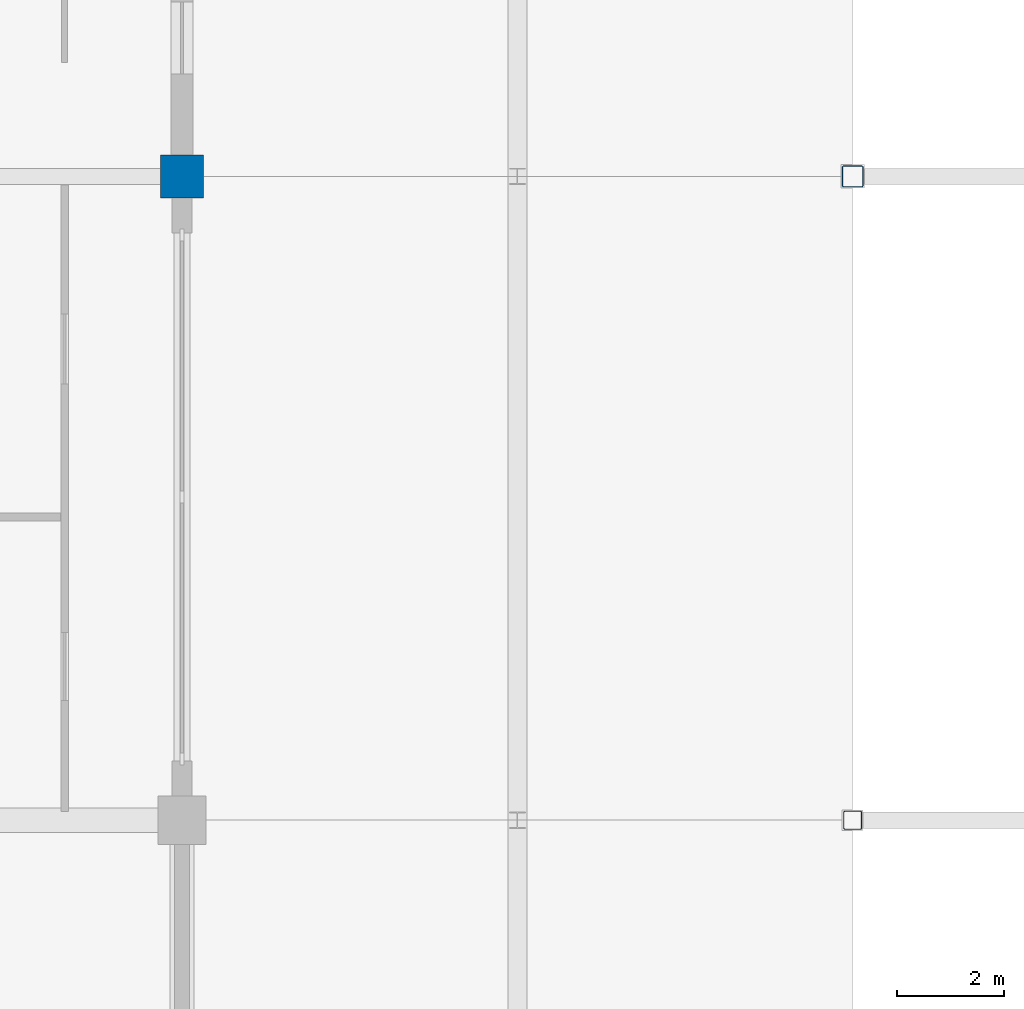
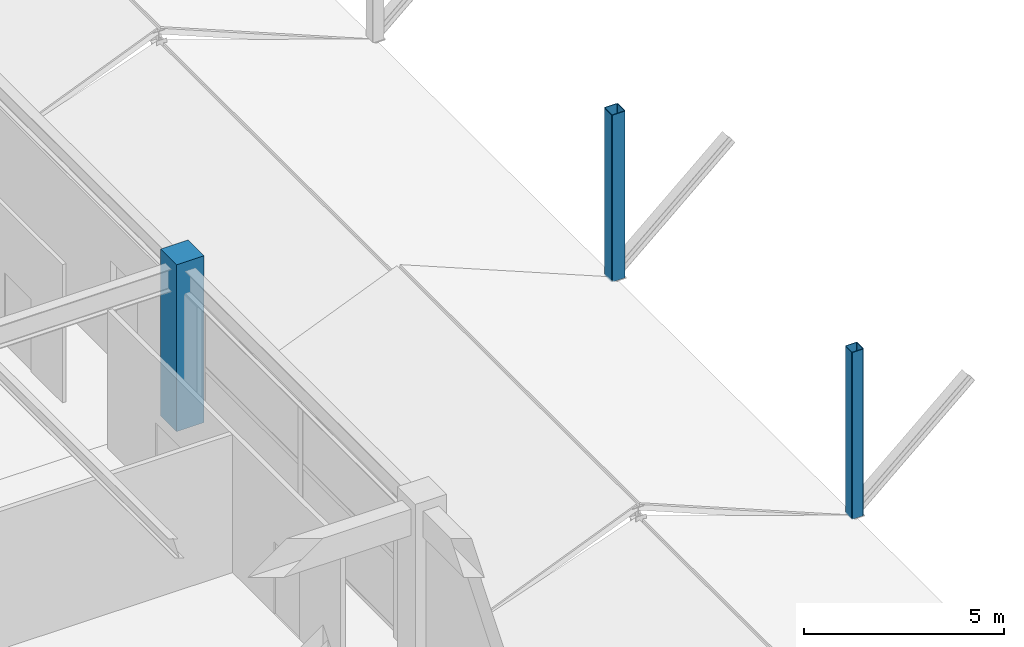
# One storey, part 4 of 116: 3 columns.
"""IFC4 building model written with IfcOpenShell, lengths in metres."""

from ifc_helpers import new_model, si_unit, direction, frame, origin, origin_2d, place, context, subcontext, project, spatial, rectangle, hollow_rectangle, extrude, material, material_profile, profile_set, type_object, element, save


model = new_model("IFC4")

# Units and contexts
model_context = context("Model", 3, precision=1e-05, world=origin(), true_north=direction((0.0, 1.0)))
body_context = subcontext(model_context, "Body", "Model", "MODEL_VIEW")
ifc_project = project(units=[si_unit("LENGTHUNIT", "METRE"), si_unit("AREAUNIT", "SQUARE_METRE"), si_unit("VOLUMEUNIT", "CUBIC_METRE"), si_unit("PLANEANGLEUNIT", "RADIAN"), si_unit("MASSUNIT", "GRAM", prefix="KILO")], contexts=[model_context])

# Site, building, storey
site_placement = place(None, origin())
site = spatial("IfcSite", under=ifc_project, at=site_placement, CompositionType="ELEMENT")
building_placement = place(site_placement, origin())
building = spatial("IfcBuilding", under=site, at=building_placement, Name="Kazenohara Klinker Stadium", CompositionType="ELEMENT")
storey_placement = place(building_placement, frame((0.0, 0.0, 10.199951171875)))
storey = spatial("IfcBuildingStorey", under=building, at=storey_placement, Name="L02", CompositionType="ELEMENT", Elevation=10.199951171875)

# Columns
ifc_material_1 = material(Name="Concrete C40/50", Category="concrete")
ifc_material_profile_1 = material_profile(ifc_material_1, rectangle(XDim=0.800048828125, YDim=0.800048828125, at=origin_2d()), Name="RC-COL-800x800")
ifc_profile_set_1 = profile_set([ifc_material_profile_1], Name="Concrete C40/50")
column_type_1 = type_object("IfcColumnType", Name="COL-RC05", PredefinedType="COLUMN", material=ifc_profile_set_1)
column_1_placement = place(storey_placement, frame((36.5, 96.0, 0.0), z_axis=(0.0, 0.0, 1.0), x_axis=(1.0, 0.0, 0.0)))
element("IfcColumn", 1, at=column_1_placement, inside=storey, type_object=column_type_1, Name="Column C05 L02 4/J", PredefinedType="COLUMN", context=body_context, shape_type="SweptSolid", body=[
    extrude(rectangle(XDim=0.800048828125, YDim=0.800048828125, at=origin_2d()), origin(), (0.0, 0.0, 1.0), 5.10009765625),
])
ifc_material_2 = material(Name="Steel S355", Category="steel")
ifc_material_profile_2 = material_profile(ifc_material_2, hollow_rectangle(XDim=0.39990234375, YDim=0.39990234375, WallThickness=0.01611328125, InnerFilletRadius=0.01611328125, OuterFilletRadius=0.031982421875, at=origin_2d()), Name="SHS-400x400x16")
ifc_profile_set_2 = profile_set([ifc_material_profile_2], Name="Steel S355")
column_type_2 = type_object("IfcColumnType", Name="COL-ST01", PredefinedType="COLUMN", material=ifc_profile_set_2)
column_2_placement = place(storey_placement, frame((49.0, 96.0, 0.0), z_axis=(0.0, 0.0, 1.0), x_axis=(1.0, 0.0, 0.0)))
element("IfcColumn", 2, at=column_2_placement, inside=storey, type_object=column_type_2, Name="Canopy ring support column SC01 L02 5/J", PredefinedType="COLUMN", context=body_context, shape_type="SweptSolid", body=[
    extrude(hollow_rectangle(XDim=0.39990234375, YDim=0.39990234375, WallThickness=0.01611328125, InnerFilletRadius=0.01611328125, OuterFilletRadius=0.031982421875, at=origin_2d()), origin(), (0.0, 0.0, 1.0), 5.10009765625),
])
ifc_material_profile_3 = material_profile(ifc_material_2, hollow_rectangle(XDim=0.35009765625, YDim=0.35009765625, WallThickness=0.01611328125, InnerFilletRadius=0.01611328125, OuterFilletRadius=0.031982421875, at=origin_2d()), Name="SHS-350x350x16")
ifc_profile_set_3 = profile_set([ifc_material_profile_3], Name="Steel S355")
column_type_3 = type_object("IfcColumnType", Name="COL-ST02", PredefinedType="COLUMN", material=ifc_profile_set_3)
column_3_placement = place(storey_placement, frame((49.0, 84.0, 0.0), z_axis=(0.0, 0.0, 1.0), x_axis=(1.0, 0.0, 0.0)))
element("IfcColumn", 3, at=column_3_placement, inside=storey, type_object=column_type_3, Name="Canopy ring support column SC02 L02 5/H", PredefinedType="COLUMN", context=body_context, shape_type="SweptSolid", body=[
    extrude(hollow_rectangle(XDim=0.35009765625, YDim=0.35009765625, WallThickness=0.01611328125, InnerFilletRadius=0.01611328125, OuterFilletRadius=0.031982421875, at=origin_2d()), origin(), (0.0, 0.0, 1.0), 5.10009765625),
])

save(model, "model.ifc")
